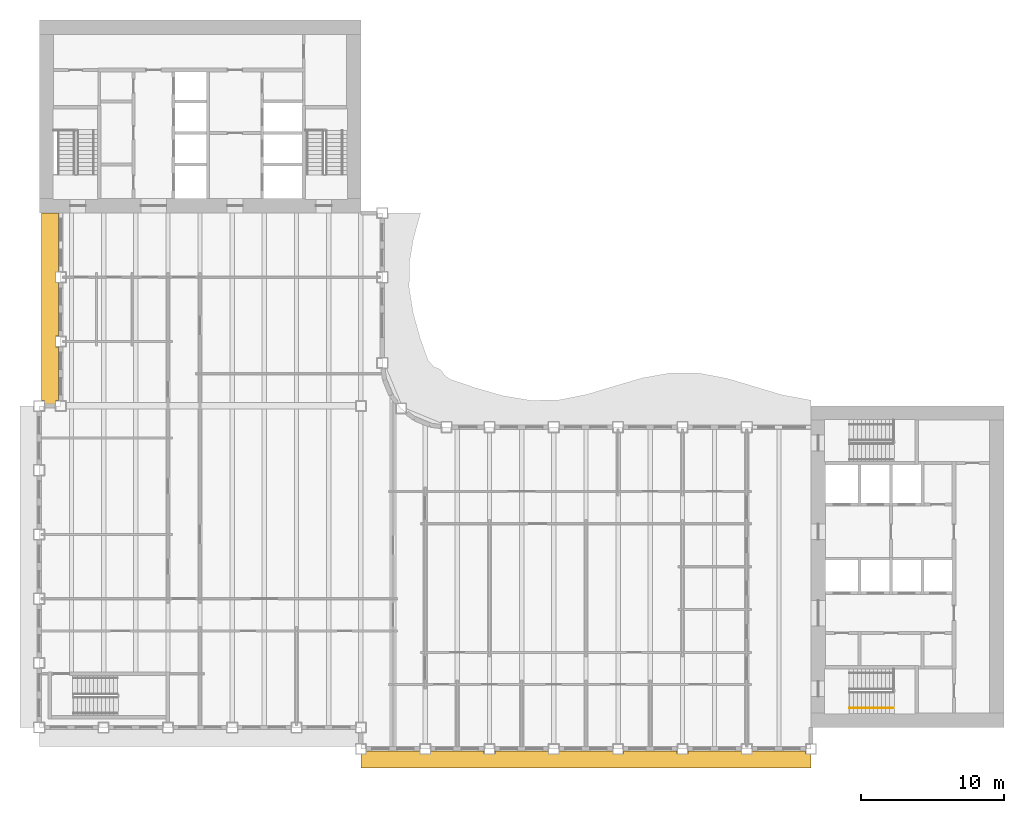
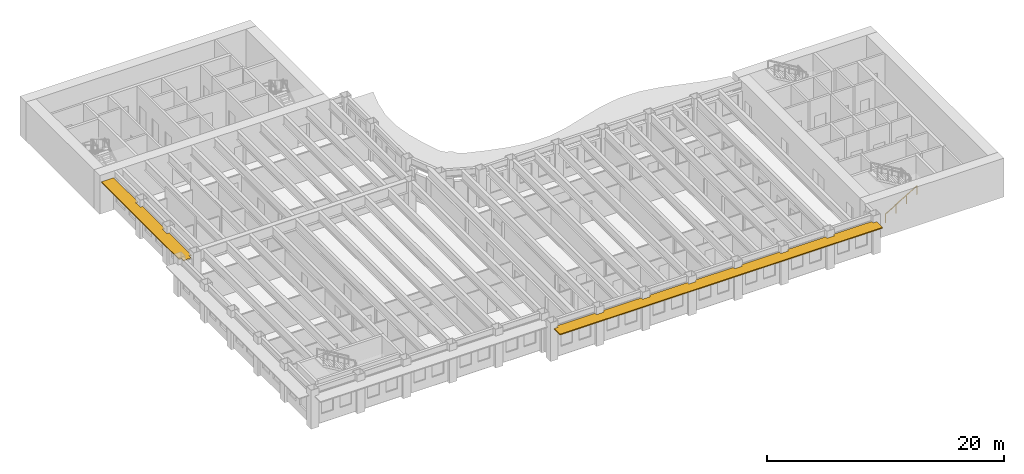
# One storey, part 13 of 17: 2 shading devices, 1 railing.
"""IFC4 building model written with IfcOpenShell, lengths in metres."""

from ifc_helpers import new_model, si_unit, direction, frame, origin, origin_2d, place, context, subcontext, project, spatial, polyline, rectangle, outline, extrude, material, layer, layer_set, type_object, element, save


model = new_model("IFC4")

# Units and contexts
model_context = context("Model", 3, precision=1e-05, world=origin(), true_north=direction((0.0, 1.0)))
body_context = subcontext(model_context, "Body", "Model", "MODEL_VIEW")
ifc_project = project(units=[si_unit("LENGTHUNIT", "METRE"), si_unit("AREAUNIT", "SQUARE_METRE"), si_unit("VOLUMEUNIT", "CUBIC_METRE"), si_unit("PLANEANGLEUNIT", "RADIAN"), si_unit("MASSUNIT", "GRAM", prefix="KILO")], contexts=[model_context])

# Site, building, storey
site_placement = place(None, origin())
site = spatial("IfcSite", under=ifc_project, at=site_placement, CompositionType="ELEMENT")
building_placement = place(site_placement, origin())
building = spatial("IfcBuilding", under=site, at=building_placement, Name="Sennacour Bend Tower", CompositionType="ELEMENT")
storey_placement = place(building_placement, frame((0.0, 0.0, 215.0)))
storey = spatial("IfcBuildingStorey", under=building, at=storey_placement, Name="L49", CompositionType="ELEMENT", Elevation=215.0)

# Railing
ifc_material_1 = material(Name="Stainless steel", Category="steel")
railing_type = type_object("IfcRailingType", Name="RL-HANDRAIL-900", PredefinedType="HANDRAIL", material=ifc_material_1)
railing_placement = place(storey_placement, frame((56.699951171875, 1.35009765625, 0.166748046875)))
element("IfcRailing", 1, at=railing_placement, inside=storey, type_object=railing_type, Name="L49 SA1 stair handrail 1", PredefinedType="HANDRAIL", context=body_context, shape_type="SweptSolid", body=[
    extrude(rectangle(XDim=0.048095703125, YDim=0.048095703125, at=origin_2d()), frame((0.0, 0.0, 0.8759765625), z_axis=(0.859308565015, 0.0, 0.511457515432), x_axis=(0.0, 1.0, 0.0)), (0.0, 0.0, 1.0), 3.58447265625),
    extrude(rectangle(XDim=0.0419921875, YDim=0.0419921875, at=origin_2d()), origin(), (0.0, 0.0, 1.0), 0.851806640625),
    extrude(rectangle(XDim=0.0419921875, YDim=0.0419921875, at=origin_2d()), frame((1.026611328125, 0.0, 0.611083984375)), (0.0, 0.0, 1.0), 0.851806640625),
    extrude(rectangle(XDim=0.0419921875, YDim=0.0419921875, at=origin_2d()), frame((2.053466796875, 0.0, 1.22216796875)), (0.0, 0.0, 1.0), 0.851806640625),
    extrude(rectangle(XDim=0.0419921875, YDim=0.0419921875, at=origin_2d()), frame((3.080078125, 0.0, 1.833251953125)), (0.0, 0.0, 1.0), 0.851806640625),
])

# Shading devices
ifc_material_2 = material(Name="Bronze anodised aluminium", Category="aluminium")
ifc_layer = layer(ifc_material_2, 0.10009765625, Name="Bronze anodised aluminium", Category="aluminium")
ifc_layer_set = layer_set([ifc_layer], Name="Bronze anodised aluminium")
shading_device_type = type_object("IfcShadingDeviceType", Name="SUNSHADE BAND STRAIGHT", PredefinedType="USERDEFINED", material=ifc_layer_set)
shading_device_1_placement = place(storey_placement, frame((0.0, 0.0, 3.056884765625)))
element("IfcShadingDevice", 2, at=shading_device_1_placement, inside=storey, type_object=shading_device_type, Name="Sunshade band L49 A outer face", ObjectType="SUNSHADE", PredefinedType="USERDEFINED", context=body_context, shape_type="SweptSolid", body=[
    extrude(outline(polyline([(26.625, -1.64990234375), (26.625, -1.875), (27.375, -1.875), (27.375, -1.64990234375), (31.125, -1.64990234375), (31.125, -1.875), (31.875, -1.875), (31.875, -1.64990234375), (35.625, -1.64990234375), (35.625, -1.875), (36.375, -1.875), (36.375, -1.64990234375), (40.125, -1.64990234375), (40.125, -1.875), (40.875, -1.875), (40.875, -1.64990234375), (44.625, -1.64990234375), (44.625, -1.875), (45.375, -1.875), (45.375, -1.64990234375), (49.125, -1.64990234375), (49.125, -1.875), (49.875, -1.875), (49.875, -1.64990234375), (53.625, -1.64990234375), (53.625, -1.875), (54.0, -1.875), (54.0, -2.85009765625), (22.5, -2.85009765625), (22.5, -1.875), (22.875, -1.875), (22.875, -1.64990234375), (26.625, -1.64990234375)])), origin(), (0.0, 0.0, 1.0), 0.10009765625),
])
shading_device_2_placement = place(storey_placement, frame((0.0, 0.0, 3.056884765625)))
element("IfcShadingDevice", 3, at=shading_device_2_placement, inside=storey, type_object=shading_device_type, Name="Sunshade band L49 B outer face", ObjectType="SUNSHADE", PredefinedType="USERDEFINED", context=body_context, shape_type="SweptSolid", body=[
    extrude(outline(polyline([(1.35009765625, 31.875), (1.125, 31.875), (1.125, 31.125), (1.35009765625, 31.125), (1.35009765625, 27.375), (1.125, 27.375), (1.125, 26.625), (1.35009765625, 26.625), (1.35009765625, 22.875), (1.125, 22.875), (1.125, 22.5), (0.375, 22.5), (0.375, 22.875), (0.14990234375, 22.875), (0.14990234375, 36.0), (1.35009765625, 36.0), (1.35009765625, 31.875)])), origin(), (0.0, 0.0, 1.0), 0.10009765625),
])

save(model, "model.ifc")
